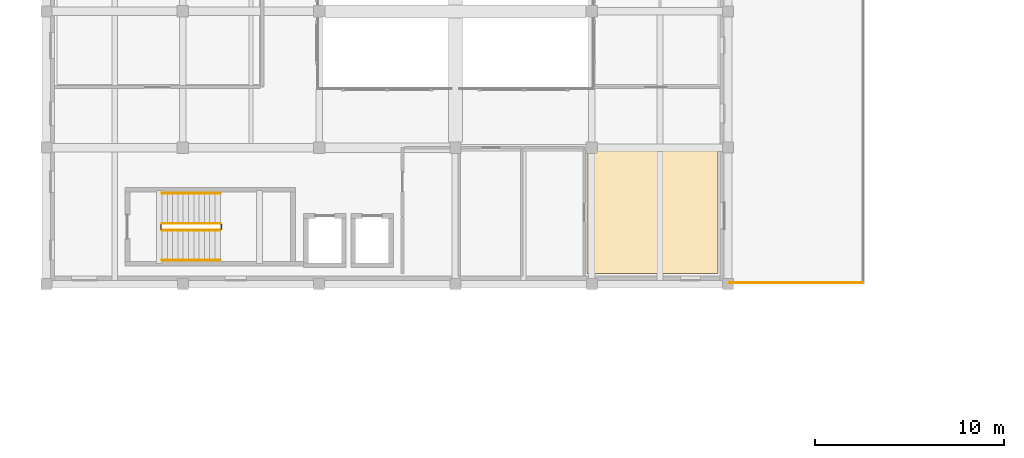
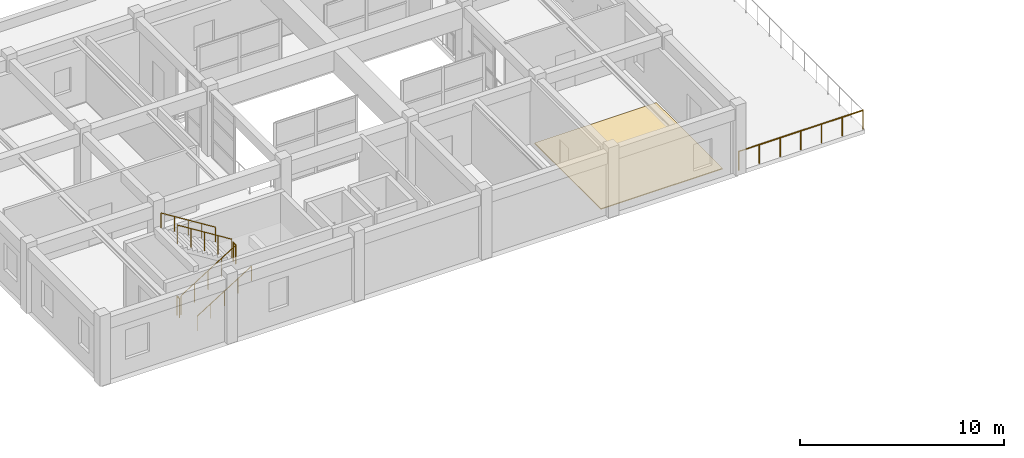
# One storey, part 97 of 99: 7 railings, 1 covering.
"""IFC4 building model written with IfcOpenShell, lengths in metres."""

from ifc_helpers import new_model, si_unit, direction, frame, origin, origin_2d, place, context, subcontext, project, spatial, polyline, circle, outline, extrude, material, layer, layer_set, type_object, element, save


model = new_model("IFC4")

# Units and contexts
model_context = context("Model", 3, precision=1e-05, world=origin(), true_north=direction((0.0, 1.0)))
body_context = subcontext(model_context, "Body", "Model", "MODEL_VIEW")
ifc_project = project(units=[si_unit("LENGTHUNIT", "METRE"), si_unit("AREAUNIT", "SQUARE_METRE"), si_unit("VOLUMEUNIT", "CUBIC_METRE"), si_unit("PLANEANGLEUNIT", "RADIAN"), si_unit("MASSUNIT", "GRAM", prefix="KILO")], contexts=[model_context])

# Site, building, storey
site_placement = place(None, origin())
site = spatial("IfcSite", under=ifc_project, at=site_placement, CompositionType="ELEMENT")
building_placement = place(site_placement, origin())
building = spatial("IfcBuilding", under=site, at=building_placement, Name="Bramveld Media Centre", CompositionType="ELEMENT")
storey_placement = place(building_placement, frame((0.0, 0.0, 13.800048828125)))
storey = spatial("IfcBuildingStorey", under=building, at=storey_placement, Name="L03", CompositionType="ELEMENT", Elevation=13.800048828125)

# Covering
ifc_material_1 = material(Name="Honed Belgian bluestone (petit granit) public concourse flooring", Category="masonry")
ifc_layer = layer(ifc_material_1, 0.050048828125)
ifc_layer_set = layer_set([ifc_layer], Name="Honed Belgian bluestone (petit granit) public concourse flooring")
covering_type = type_object("IfcCoveringType", Name="COV-FLOOR-02", PredefinedType="FLOORING", material=ifc_layer_set)
covering_placement = place(storey_placement, origin())
element("IfcCovering", 1, at=covering_placement, inside=storey, type_object=covering_type, Name="Belvedere Terrace Circulation Lobby finish flooring", PredefinedType="FLOORING", context=body_context, shape_type="SweptSolid", body=[
    extrude(outline(polyline([(94.14990234375, 90.949951171875), (101.050048828125, 90.949951171875), (101.050048828125, 97.449951171875), (94.14990234375, 97.449951171875), (94.14990234375, 90.949951171875)])), origin(), (0.0, 0.0, 1.0), 0.050048828125),
])

# Railings
ifc_material_2 = material(Name="Painted galvanized steel stairwell guardrail", Category="steel")
railing_type_1 = type_object("IfcRailingType", Name="RAIL-STAIR-GUARD-1150", PredefinedType="GUARDRAIL", material=ifc_material_2)
railing_1_placement = place(storey_placement, frame((71.699951171875, 93.25, 0.175048828125)))
element("IfcRailing", 2, at=railing_1_placement, inside=storey, type_object=railing_type_1, Name="L03 ST-07 stair guard 1", PredefinedType="GUARDRAIL", context=body_context, shape_type="SweptSolid", body=[
    extrude(circle(Radius=0.02392578125, at=origin_2d()), frame((0.0, 0.0, 1.1259765625), z_axis=(0.848028513186, 0.0, 0.529950602248), x_axis=(0.0, 1.0, 0.0)), (0.0, 0.0, 1.0), 3.632080078125),
    extrude(circle(Radius=0.02099609375, at=origin_2d()), origin(), (0.0, 0.0, 1.0), 1.101806640625),
    extrude(circle(Radius=0.02099609375, at=origin_2d()), frame((0.77001953125, 0.0, 0.481201171875)), (0.0, 0.0, 1.0), 1.101806640625),
    extrude(circle(Radius=0.02099609375, at=origin_2d()), frame((1.5400390625, 0.0, 0.96240234375)), (0.0, 0.0, 1.0), 1.101806640625),
    extrude(circle(Radius=0.02099609375, at=origin_2d()), frame((2.31005859375, 0.0, 1.443603515625)), (0.0, 0.0, 1.0), 1.101806640625),
    extrude(circle(Radius=0.02099609375, at=origin_2d()), frame((3.080078125, 0.0, 1.9248046875)), (0.0, 0.0, 1.0), 1.101806640625),
])
railing_2_placement = place(storey_placement, frame((74.830078125, 93.300048828125, 2.099853515625)))
element("IfcRailing", 3, at=railing_2_placement, inside=storey, type_object=railing_type_1, Name="L03 ST-07 stair guard 2", PredefinedType="GUARDRAIL", context=body_context, shape_type="SweptSolid", body=[
    extrude(circle(Radius=0.02392578125, at=origin_2d()), frame((0.0, 0.0, 1.1259765625), z_axis=(0.0, 1.0, 0.0), x_axis=(-1.0, 0.0, 0.0)), (0.0, 0.0, 1.0), 0.25),
    extrude(circle(Radius=0.02099609375, at=origin_2d()), origin(), (0.0, 0.0, 1.0), 1.101806640625),
    extrude(circle(Radius=0.02099609375, at=origin_2d()), frame((0.0, 0.25, 0.0)), (0.0, 0.0, 1.0), 1.101806640625),
])
railing_3_placement = place(storey_placement, frame((74.780029296875, 93.60009765625, 2.27490234375)))
element("IfcRailing", 4, at=railing_3_placement, inside=storey, type_object=railing_type_1, Name="L03 ST-07 stair guard 3", PredefinedType="GUARDRAIL", context=body_context, shape_type="SweptSolid", body=[
    extrude(circle(Radius=0.02392578125, at=origin_2d()), frame((0.0, 0.0, 1.1259765625), z_axis=(-0.847998304005, 0.0, 0.529998940003), x_axis=(0.0, -1.0, 0.0)), (0.0, 0.0, 1.0), 3.632080078125),
    extrude(circle(Radius=0.02099609375, at=origin_2d()), origin(), (0.0, 0.0, 1.0), 1.101806640625),
    extrude(circle(Radius=0.02099609375, at=origin_2d()), frame((-0.77001953125, 0.0, 0.481201171875)), (0.0, 0.0, 1.0), 1.101806640625),
    extrude(circle(Radius=0.02099609375, at=origin_2d()), frame((-1.5400390625, 0.0, 0.96240234375)), (0.0, 0.0, 1.0), 1.101806640625),
    extrude(circle(Radius=0.02099609375, at=origin_2d()), frame((-2.31005859375, 0.0, 1.44384765625)), (0.0, 0.0, 1.0), 1.101806640625),
    extrude(circle(Radius=0.02099609375, at=origin_2d()), frame((-3.080078125, 0.0, 1.925048828125)), (0.0, 0.0, 1.0), 1.101806640625),
])
railing_4_placement = place(storey_placement, frame((71.64990234375, 93.300048828125, 0.0)))
element("IfcRailing", 5, at=railing_4_placement, inside=storey, type_object=railing_type_1, Name="L03 ST-07 stair guard 4", PredefinedType="GUARDRAIL", context=body_context, shape_type="SweptSolid", body=[
    extrude(circle(Radius=0.02392578125, at=origin_2d()), frame((0.0, 0.0, 1.1259765625), z_axis=(0.0, 1.0, 0.0), x_axis=(-1.0, 0.0, 0.0)), (0.0, 0.0, 1.0), 0.25),
    extrude(circle(Radius=0.02099609375, at=origin_2d()), origin(), (0.0, 0.0, 1.0), 1.101806640625),
    extrude(circle(Radius=0.02099609375, at=origin_2d()), frame((0.0, 0.25, 0.0)), (0.0, 0.0, 1.0), 1.101806640625),
])
ifc_material_3 = material(Name="Brushed stainless steel tubular stair handrail", Category="steel")
railing_type_2 = type_object("IfcRailingType", Name="RAIL-STAIR-HAND-0920", PredefinedType="HANDRAIL", material=ifc_material_3)
railing_5_placement = place(storey_placement, frame((71.699951171875, 91.64990234375, 0.175048828125)))
element("IfcRailing", 6, at=railing_5_placement, inside=storey, type_object=railing_type_2, Name="L03 ST-07 stair handrail 1", PredefinedType="HANDRAIL", context=body_context, shape_type="SweptSolid", body=[
    extrude(circle(Radius=0.02392578125, at=origin_2d()), frame((0.0, 0.0, 0.8759765625), z_axis=(0.848028513186, 0.0, 0.529950602248), x_axis=(0.0, 1.0, 0.0)), (0.0, 0.0, 1.0), 3.632080078125),
    extrude(circle(Radius=0.02099609375, at=origin_2d()), origin(), (0.0, 0.0, 1.0), 0.851806640625),
    extrude(circle(Radius=0.02099609375, at=origin_2d()), frame((0.77001953125, 0.0, 0.481201171875)), (0.0, 0.0, 1.0), 0.851806640625),
    extrude(circle(Radius=0.02099609375, at=origin_2d()), frame((1.5400390625, 0.0, 0.96240234375)), (0.0, 0.0, 1.0), 0.851806640625),
    extrude(circle(Radius=0.02099609375, at=origin_2d()), frame((2.31005859375, 0.0, 1.443603515625)), (0.0, 0.0, 1.0), 0.851806640625),
    extrude(circle(Radius=0.02099609375, at=origin_2d()), frame((3.080078125, 0.0, 1.9248046875)), (0.0, 0.0, 1.0), 0.851806640625),
])
railing_6_placement = place(storey_placement, frame((74.780029296875, 95.199951171875, 2.27490234375)))
element("IfcRailing", 7, at=railing_6_placement, inside=storey, type_object=railing_type_2, Name="L03 ST-07 stair handrail 2", PredefinedType="HANDRAIL", context=body_context, shape_type="SweptSolid", body=[
    extrude(circle(Radius=0.02392578125, at=origin_2d()), frame((0.0, 0.0, 0.8759765625), z_axis=(-0.847998304005, 0.0, 0.529998940003), x_axis=(0.0, -1.0, 0.0)), (0.0, 0.0, 1.0), 3.632080078125),
    extrude(circle(Radius=0.02099609375, at=origin_2d()), origin(), (0.0, 0.0, 1.0), 0.851806640625),
    extrude(circle(Radius=0.02099609375, at=origin_2d()), frame((-0.77001953125, 0.0, 0.481201171875)), (0.0, 0.0, 1.0), 0.851806640625),
    extrude(circle(Radius=0.02099609375, at=origin_2d()), frame((-1.5400390625, 0.0, 0.96240234375)), (0.0, 0.0, 1.0), 0.851806640625),
    extrude(circle(Radius=0.02099609375, at=origin_2d()), frame((-2.31005859375, 0.0, 1.44384765625)), (0.0, 0.0, 1.0), 0.851806640625),
    extrude(circle(Radius=0.02099609375, at=origin_2d()), frame((-3.080078125, 0.0, 1.925048828125)), (0.0, 0.0, 1.0), 0.851806640625),
])
ifc_material_4 = material(Name="Powder-coated bronze galvanized steel balustrade", Category="steel")
railing_type_3 = type_object("IfcRailingType", Name="RAIL-TERRACE-1150", PredefinedType="GUARDRAIL", material=ifc_material_4)
railing_7_placement = place(storey_placement, frame((101.679931640625, 90.47998046875, 0.0)))
element("IfcRailing", 8, at=railing_7_placement, inside=storey, type_object=railing_type_3, Name="Exhibition Belvedere Terrace S guardrail", PredefinedType="GUARDRAIL", context=body_context, shape_type="SweptSolid", body=[
    extrude(circle(Radius=0.02392578125, at=origin_2d()), frame((0.0, 0.0, 1.1259765625), z_axis=(1.0, 0.0, 0.0), x_axis=(0.0, 1.0, 0.0)), (0.0, 0.0, 1.0), 7.0400390625),
    extrude(circle(Radius=0.02099609375, at=origin_2d()), origin(), (0.0, 0.0, 1.0), 1.101806640625),
    extrude(circle(Radius=0.02099609375, at=origin_2d()), frame((1.17333984375, 0.0, 0.0)), (0.0, 0.0, 1.0), 1.101806640625),
    extrude(circle(Radius=0.02099609375, at=origin_2d()), frame((2.3466796875, 0.0, 0.0)), (0.0, 0.0, 1.0), 1.101806640625),
    extrude(circle(Radius=0.02099609375, at=origin_2d()), frame((3.52001953125, 0.0, 0.0)), (0.0, 0.0, 1.0), 1.101806640625),
    extrude(circle(Radius=0.02099609375, at=origin_2d()), frame((4.693359375, 0.0, 0.0)), (0.0, 0.0, 1.0), 1.101806640625),
    extrude(circle(Radius=0.02099609375, at=origin_2d()), frame((5.86669921875, 0.0, 0.0)), (0.0, 0.0, 1.0), 1.101806640625),
    extrude(circle(Radius=0.02099609375, at=origin_2d()), frame((7.0400390625, 0.0, 0.0)), (0.0, 0.0, 1.0), 1.101806640625),
])

save(model, "model.ifc")
